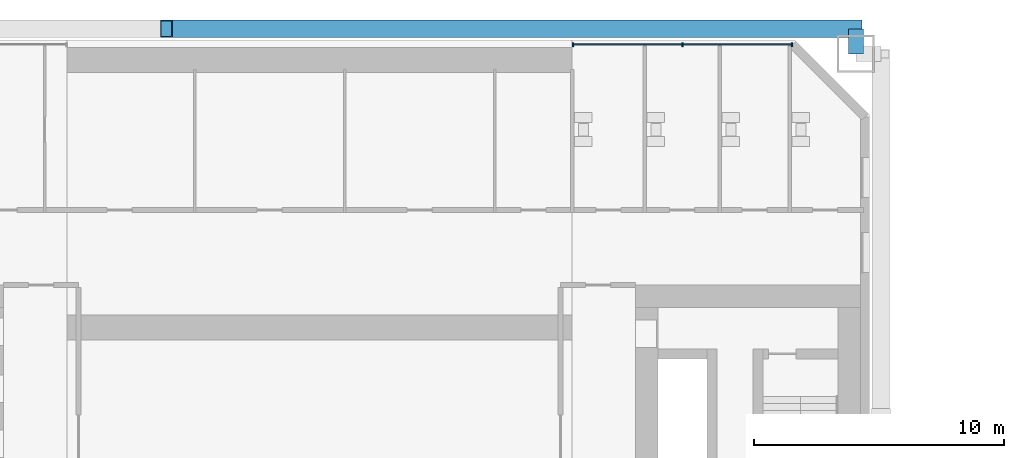
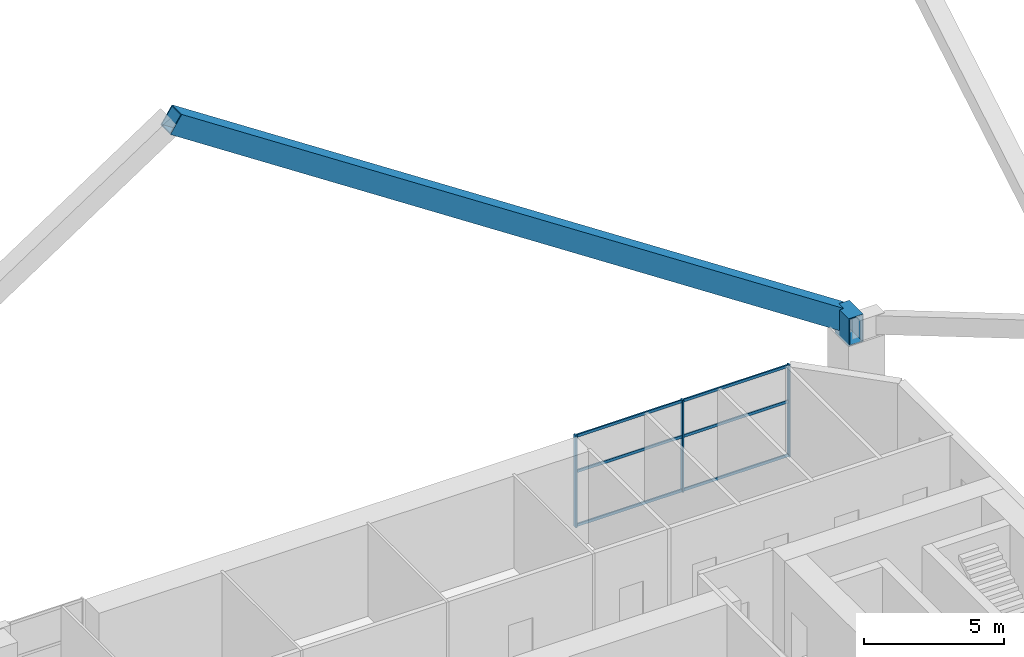
# One storey, part 8 of 25: 10 members, 1 beam, 1 element without a shape of its own.
"""IFC4 building model written with IfcOpenShell, lengths in metres."""

from ifc_helpers import new_model, si_unit, direction, frame, origin, origin_2d, place, context, subcontext, project, spatial, rectangle, hollow_rectangle, extrude, material, material_profile, profile_set, type_object, element, aggregate, save


model = new_model("IFC4")

# Units and contexts
model_context = context("Model", 3, precision=1e-05, world=origin(), true_north=direction((0.0, 1.0)))
body_context = subcontext(model_context, "Body", "Model", "MODEL_VIEW")
ifc_project = project(units=[si_unit("LENGTHUNIT", "METRE"), si_unit("AREAUNIT", "SQUARE_METRE"), si_unit("VOLUMEUNIT", "CUBIC_METRE"), si_unit("PLANEANGLEUNIT", "RADIAN"), si_unit("MASSUNIT", "GRAM", prefix="KILO")], contexts=[model_context])

# Site, building, storey
site_placement = place(None, origin())
site = spatial("IfcSite", under=ifc_project, at=site_placement, CompositionType="ELEMENT")
building_placement = place(site_placement, origin())
building = spatial("IfcBuilding", under=site, at=building_placement, Name="Tuart Gate Housing", CompositionType="ELEMENT")
storey_placement = place(building_placement, frame((0.0, 0.0, 14.699951171875)))
storey = spatial("IfcBuildingStorey", under=building, at=storey_placement, Name="L03", CompositionType="ELEMENT", Elevation=14.699951171875)

# Beam
ifc_material_1 = material(Name="Steel Grade 350", Category="steel")
ifc_material_profile_1 = material_profile(ifc_material_1, hollow_rectangle(XDim=0.60009765625, YDim=1.199951171875, WallThickness=0.0400390625, at=origin_2d()), Name="BOX 1200x600x40")
ifc_profile_set_1 = profile_set([ifc_material_profile_1], Name="Steel Grade 350")
beam_type = type_object("IfcBeamType", Name="Brace shoe BOX 1200x600x40", PredefinedType="BEAM", material=ifc_profile_set_1)
beam_placement = place(storey_placement, frame((75.449951171875, 85.449951171875, 4.800048828125), z_axis=(0.0, 1.0, 0.0), x_axis=(-1.0, 0.0, 0.0)))
element("IfcBeam", 1, at=beam_placement, inside=storey, type_object=beam_type, Name="Mega brace shoe A zone 1 north chevron 2", PredefinedType="BEAM", context=body_context, shape_type="SweptSolid", body=[
    extrude(hollow_rectangle(XDim=0.60009765625, YDim=1.199951171875, WallThickness=0.0400390625, at=origin_2d()), origin(), (0.0, 0.0, 1.0), 1.0),
])

# Member
ifc_material_2 = material(Name="Steel Grade 350", Category="steel")
ifc_material_profile_2 = material_profile(ifc_material_2, hollow_rectangle(XDim=0.699951171875, YDim=0.85009765625, WallThickness=0.0419921875, at=origin_2d()), Name="BOX 850x700x42")
ifc_profile_set_2 = profile_set([ifc_material_profile_2], Name="Steel Grade 350")
member_type_1 = type_object("IfcMemberType", Name="Mega brace BOX 850x700x42", PredefinedType="BRACE", material=ifc_profile_set_2)
member_1_placement = place(storey_placement, frame((75.449951171875, 86.449951171875, 4.800048828125), z_axis=(-0.83460268013, 0.0, 0.550852399759), x_axis=(0.0, -1.0, 0.0)))
element("IfcMember", 2, at=member_1_placement, inside=storey, type_object=member_type_1, Name="Mega brace A zone 1 north chevron 2", PredefinedType="BRACE", context=body_context, shape_type="SweptSolid", body=[
    extrude(hollow_rectangle(XDim=0.699951171875, YDim=0.85009765625, WallThickness=0.0419921875, at=origin_2d()), origin(), (0.0, 0.0, 1.0), 33.03955078125),
])

# Curtain wall, members
ifc_material_3 = material(Name="Aluminium and clear glass", Category="aluminium")
curtain_wall_type = type_object("IfcCurtainWallType", Name="Community floor glazing", PredefinedType="USERDEFINED", material=ifc_material_3)
curtain_wall_placement = place(storey_placement, origin())
curtain_wall = element("IfcCurtainWall", 3, at=curtain_wall_placement, inside=storey, type_object=curtain_wall_type, Name="Community floor glazing A-N L03", ObjectType="COMMUNITY FLOOR GLAZING", PredefinedType="USERDEFINED")
ifc_material_4 = material(Name="Anodised aluminium", Category="aluminium")
ifc_material_profile_3 = material_profile(ifc_material_4, rectangle(XDim=0.06005859375, YDim=0.159912109375, at=origin_2d()), Name="60x160")
ifc_profile_set_3 = profile_set([ifc_material_profile_3], Name="Anodised aluminium")
member_type_2 = type_object("IfcMemberType", Name="Mullion 60 x 160", PredefinedType="MULLION", material=ifc_profile_set_3)
member_2_placement = place(storey_placement, frame((72.8955078125, 85.820068359375, 0.0), z_axis=(0.0, 0.0, 1.0), x_axis=(-1.0, 0.0, 0.0)))
member_2 = element("IfcMember", 4, at=member_2_placement, type_object=member_type_2, Name="CW3 mullion 1", PredefinedType="MULLION", context=body_context, shape_type="SweptSolid", body=[
    extrude(rectangle(XDim=0.06005859375, YDim=0.159912109375, at=origin_2d()), origin(), (0.0, 0.0, 1.0), 4.0),
])
member_3_placement = place(storey_placement, frame((68.5126953125, 85.820068359375, 0.0), z_axis=(0.0, 0.0, 1.0), x_axis=(-1.0, 0.0, 0.0)))
member_3 = element("IfcMember", 5, at=member_3_placement, type_object=member_type_2, Name="CW3 mullion 2", PredefinedType="MULLION", context=body_context, shape_type="SweptSolid", body=[
    extrude(rectangle(XDim=0.06005859375, YDim=0.159912109375, at=origin_2d()), origin(), (0.0, 0.0, 1.0), 4.0),
])
member_4_placement = place(storey_placement, frame((64.1298828125, 85.820068359375, 0.0), z_axis=(0.0, 0.0, 1.0), x_axis=(-1.0, 0.0, 0.0)))
member_4 = element("IfcMember", 6, at=member_4_placement, type_object=member_type_2, Name="CW3 mullion 3", PredefinedType="MULLION", context=body_context, shape_type="SweptSolid", body=[
    extrude(rectangle(XDim=0.06005859375, YDim=0.159912109375, at=origin_2d()), origin(), (0.0, 0.0, 1.0), 4.0),
])
ifc_material_5 = material(Name="Anodised aluminium", Category="aluminium")
ifc_material_profile_4 = material_profile(ifc_material_5, rectangle(XDim=0.06005859375, YDim=0.1201171875, at=origin_2d()), Name="60x120")
ifc_profile_set_4 = profile_set([ifc_material_profile_4], Name="Anodised aluminium")
member_type_3 = type_object("IfcMemberType", Name="Transom 60 x 120", PredefinedType="USERDEFINED", material=ifc_profile_set_4)
member_5_placement = place(storey_placement, frame((72.865478515625, 85.820068359375, 0.06005859375), z_axis=(-1.0, 0.0, 0.0), x_axis=(0.0, -1.0, 0.0)))
member_5 = element("IfcMember", 7, at=member_5_placement, type_object=member_type_3, Name="CW3 transom 1.1", ObjectType="TRANSOM", PredefinedType="USERDEFINED", context=body_context, shape_type="SweptSolid", body=[
    extrude(rectangle(XDim=0.06005859375, YDim=0.1201171875, at=origin_2d()), origin(), (0.0, 0.0, 1.0), 4.32275390625),
])
member_6_placement = place(storey_placement, frame((72.865478515625, 85.820068359375, 2.400146484375), z_axis=(-1.0, 0.0, 0.0), x_axis=(0.0, -1.0, 0.0)))
member_6 = element("IfcMember", 8, at=member_6_placement, type_object=member_type_3, Name="CW3 transom 1.2", ObjectType="TRANSOM", PredefinedType="USERDEFINED", context=body_context, shape_type="SweptSolid", body=[
    extrude(rectangle(XDim=0.06005859375, YDim=0.1201171875, at=origin_2d()), origin(), (0.0, 0.0, 1.0), 4.32275390625),
])
member_7_placement = place(storey_placement, frame((72.865478515625, 85.820068359375, 3.93994140625), z_axis=(-1.0, 0.0, 0.0), x_axis=(0.0, -1.0, 0.0)))
member_7 = element("IfcMember", 9, at=member_7_placement, type_object=member_type_3, Name="CW3 transom 1.3", ObjectType="TRANSOM", PredefinedType="USERDEFINED", context=body_context, shape_type="SweptSolid", body=[
    extrude(rectangle(XDim=0.06005859375, YDim=0.1201171875, at=origin_2d()), origin(), (0.0, 0.0, 1.0), 4.32275390625),
])
member_8_placement = place(storey_placement, frame((68.482666015625, 85.820068359375, 0.06005859375), z_axis=(-1.0, 0.0, 0.0), x_axis=(0.0, -1.0, 0.0)))
member_8 = element("IfcMember", 10, at=member_8_placement, type_object=member_type_3, Name="CW3 transom 2.1", ObjectType="TRANSOM", PredefinedType="USERDEFINED", context=body_context, shape_type="SweptSolid", body=[
    extrude(rectangle(XDim=0.06005859375, YDim=0.1201171875, at=origin_2d()), origin(), (0.0, 0.0, 1.0), 4.32275390625),
])
member_9_placement = place(storey_placement, frame((68.482666015625, 85.820068359375, 2.400146484375), z_axis=(-1.0, 0.0, 0.0), x_axis=(0.0, -1.0, 0.0)))
member_9 = element("IfcMember", 11, at=member_9_placement, type_object=member_type_3, Name="CW3 transom 2.2", ObjectType="TRANSOM", PredefinedType="USERDEFINED", context=body_context, shape_type="SweptSolid", body=[
    extrude(rectangle(XDim=0.06005859375, YDim=0.1201171875, at=origin_2d()), origin(), (0.0, 0.0, 1.0), 4.32275390625),
])
member_10_placement = place(storey_placement, frame((68.482666015625, 85.820068359375, 3.93994140625), z_axis=(-1.0, 0.0, 0.0), x_axis=(0.0, -1.0, 0.0)))
member_10 = element("IfcMember", 12, at=member_10_placement, type_object=member_type_3, Name="CW3 transom 2.3", ObjectType="TRANSOM", PredefinedType="USERDEFINED", context=body_context, shape_type="SweptSolid", body=[
    extrude(rectangle(XDim=0.06005859375, YDim=0.1201171875, at=origin_2d()), origin(), (0.0, 0.0, 1.0), 4.32275390625),
])
aggregate(curtain_wall, [member_2, member_3, member_4, member_5, member_6, member_7, member_8, member_9, member_10])

save(model, "model.ifc")
